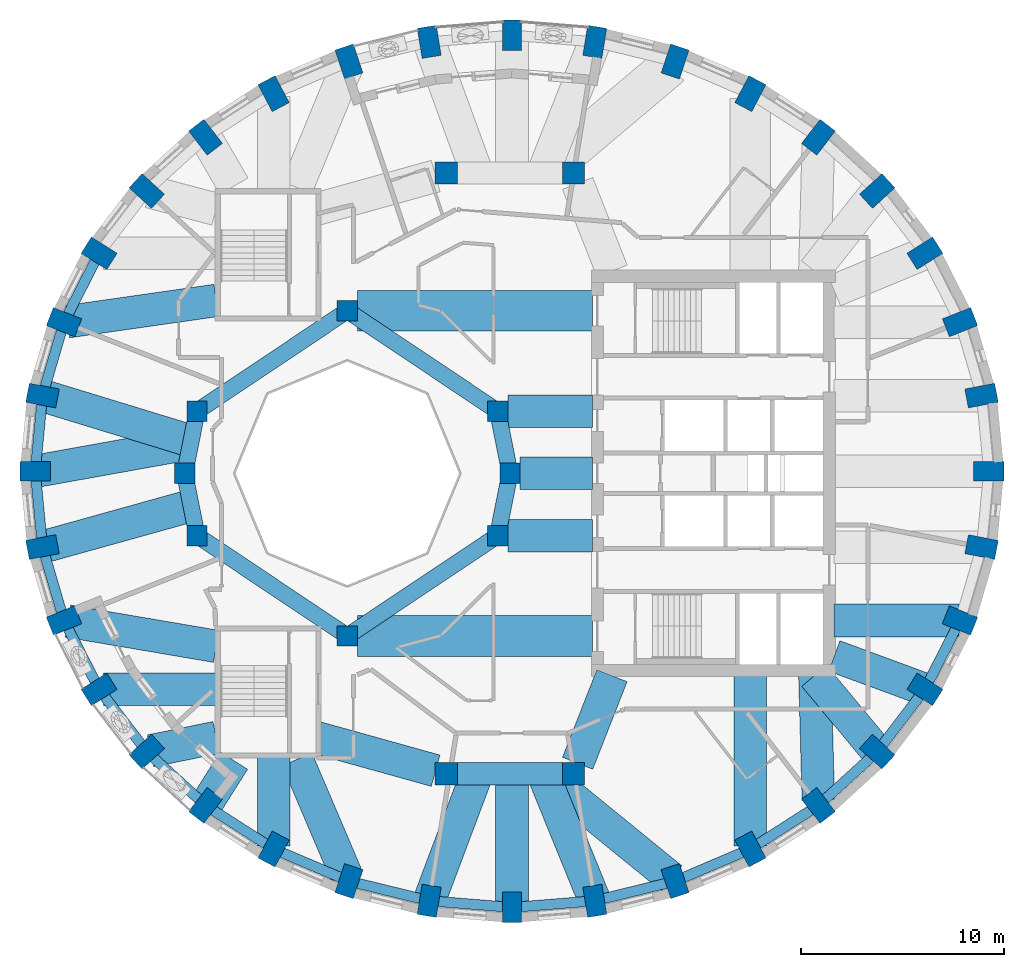
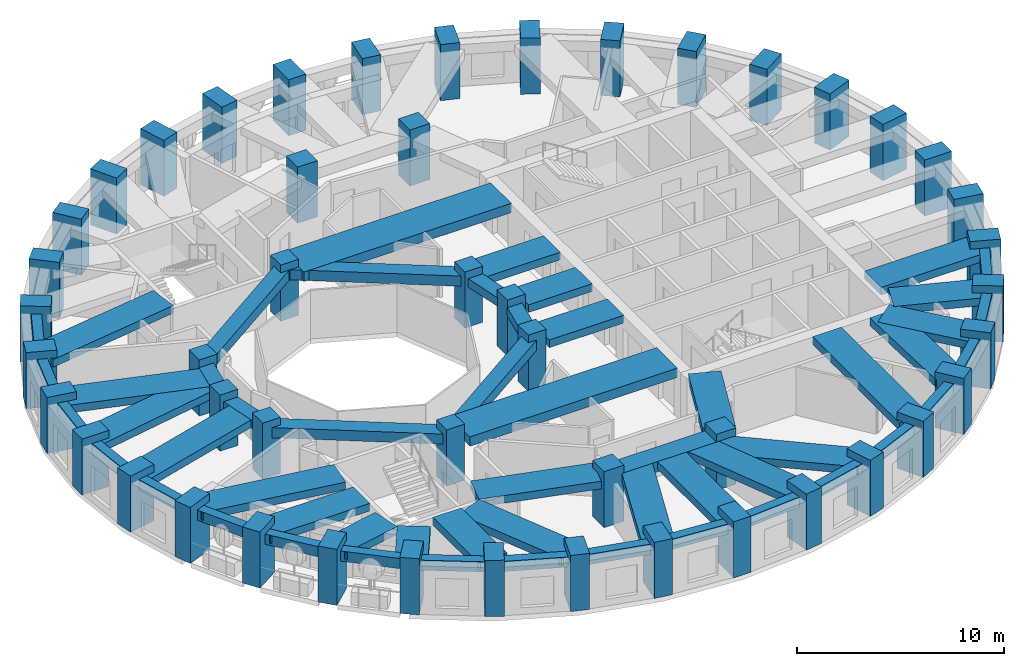
# One storey, part 1 of 11: 54 beams, 48 columns.
"""IFC4 building model written with IfcOpenShell, lengths in metres."""

from ifc_helpers import new_model, si_unit, direction, frame, origin, origin_2d, place, context, subcontext, project, spatial, rectangle, extrude, material, material_profile, profile_set, type_object, element, save


model = new_model("IFC4")

# Units and contexts
model_context = context("Model", 3, precision=1e-05, world=origin(), true_north=direction((0.0, 1.0)))
body_context = subcontext(model_context, "Body", "Model", "MODEL_VIEW")
ifc_project = project(units=[si_unit("LENGTHUNIT", "METRE"), si_unit("AREAUNIT", "SQUARE_METRE"), si_unit("VOLUMEUNIT", "CUBIC_METRE"), si_unit("PLANEANGLEUNIT", "RADIAN"), si_unit("MASSUNIT", "GRAM", prefix="KILO")], contexts=[model_context])

# Site, building, storey
site_placement = place(None, origin())
site = spatial("IfcSite", under=ifc_project, at=site_placement, CompositionType="ELEMENT")
building_placement = place(site_placement, origin())
building = spatial("IfcBuilding", under=site, at=building_placement, Name="Taillehof Tower", CompositionType="ELEMENT")
storey_placement = place(building_placement, frame((0.0, 0.0, 181.39990234375)))
storey = spatial("IfcBuildingStorey", under=building, at=storey_placement, Name="L51", CompositionType="ELEMENT", Elevation=181.39990234375)

# Columns
ifc_material_1 = material(Name="Concrete C50/60", Category="concrete")
ifc_material_profile_1 = material_profile(ifc_material_1, rectangle(XDim=1.0, YDim=1.0, at=origin_2d()), Name="RC 1000x1000")
ifc_profile_set_1 = profile_set([ifc_material_profile_1], Name="Concrete C50/60")
column_type_1 = type_object("IfcColumnType", Name="Atrium ring column C50/60 1000x1000", PredefinedType="COLUMN", material=ifc_profile_set_1)
for number, where, z_axis, x_axis, name in (
    (1, (0.0, 0.0, 0.0), (0.0, 0.0, 1.0), (1.0, 0.0, 0.0), "Column AC01"),
    (2, (-0.60888671875, 3.0615234375, 0.0), (0.0, 0.0, 1.0), (1.0, 0.0, 0.0), "Column AC02"),
    (3, (-8.0, 8.0, 0.0), (0.0, 0.0, 1.0), (1.0, 0.0, 0.0), "Column AC05"),
    (4, (-15.39111328125, 3.0615234375, 0.0), (0.0, 0.0, 1.0), (1.0, 0.0, 0.0), "Column AC08"),
    (5, (-16.0, 0.0, 0.0), (0.0, 0.0, 1.0), (1.0, 0.0, 0.0), "Column AC09"),
    (6, (-15.39111328125, -3.0615234375, 0.0), (0.0, 0.0, 1.0), (1.0, 0.0, 0.0), "Column AC10"),
    (7, (-8.0, -8.0, 0.0), (0.0, 0.0, 1.0), (1.0, 0.0, 0.0), "Column AC13"),
    (8, (-0.60888671875, -3.0615234375, 0.0), (0.0, 0.0, 1.0), (1.0, 0.0, 0.0), "Column AC16"),
):
    element("IfcColumn", number, at=place(storey_placement, frame(where, z_axis=z_axis, x_axis=x_axis)), inside=storey, type_object=column_type_1, Name=name, PredefinedType="COLUMN", context=body_context, shape_type="SweptSolid", body=[
        extrude(rectangle(XDim=1.0, YDim=1.0, at=origin_2d()), origin(), (0.0, 0.0, 1.0), 3.300048828125),
    ])
ifc_material_2 = material(Name="Concrete C50/60", Category="concrete")
ifc_material_profile_2 = material_profile(ifc_material_2, rectangle(XDim=1.10009765625, YDim=1.10009765625, at=origin_2d()), Name="RC 1100x1100")
ifc_profile_set_2 = profile_set([ifc_material_profile_2], Name="Concrete C50/60")
column_type_2 = type_object("IfcColumnType", Name="Mid-ring column C50/60 1100x1100", PredefinedType="COLUMN", material=ifc_profile_set_2)
for number, where, z_axis, x_axis, name in (
    (9, (3.125732421875, 14.772216796875, 0.0), (0.0, 0.0, 1.0), (1.0, 0.0, 0.0), "Column MC05"),
    (10, (-3.125732421875, 14.772216796875, 0.0), (0.0, 0.0, 1.0), (1.0, 0.0, 0.0), "Column MC06"),
    (11, (-3.125732421875, -14.772216796875, 0.0), (0.0, 0.0, 1.0), (1.0, 0.0, 0.0), "Column MC14"),
    (12, (3.125732421875, -14.772216796875, 0.0), (0.0, 0.0, 1.0), (1.0, 0.0, 0.0), "Column MC15"),
):
    element("IfcColumn", number, at=place(storey_placement, frame(where, z_axis=z_axis, x_axis=x_axis)), inside=storey, type_object=column_type_2, Name=name, PredefinedType="COLUMN", context=body_context, shape_type="SweptSolid", body=[
        extrude(rectangle(XDim=1.10009765625, YDim=1.10009765625, at=origin_2d()), origin(), (0.0, 0.0, 1.0), 3.300048828125),
    ])
ifc_material_3 = material(Name="Concrete C60/75", Category="concrete")
ifc_material_profile_3 = material_profile(ifc_material_3, rectangle(XDim=1.5, YDim=0.949951171875, at=origin_2d()), Name="RC 1500x950")
ifc_profile_set_3 = profile_set([ifc_material_profile_3], Name="Concrete C60/75")
column_type_3 = type_object("IfcColumnType", Name="Ring column C60/75 1500x950", PredefinedType="COLUMN", material=ifc_profile_set_3)
for number, where, z_axis, x_axis, name in (
    (13, (23.550048828125, 0.10009765625, 0.0), (0.0, 0.0, 1.0), (1.0, 0.0, 0.0), "Ring column RC01"),
    (14, (23.19384765625, 3.82470703125, 0.0), (0.0, 0.0, 1.0), (0.98202380309, 0.188757119508, 0.0), "Ring column RC02"),
    (15, (22.1357421875, 7.436279296875, 0.0), (0.0, 0.0, 1.0), (0.929511471762, 0.368793199317, 0.0), "Ring column RC03"),
    (16, (20.408203125, 10.824951171875, 0.0), (0.0, 0.0, 1.0), (0.846334224225, 0.532652213837, 0.0), "Ring column RC04"),
    (17, (18.063720703125, 13.8876953125, 0.0), (0.0, 0.0, 1.0), (0.7378786352, 0.674933418727, 0.0), "Ring column RC05"),
    (18, (15.17333984375, 16.53173828125, 0.0), (0.0, 0.0, 1.0), (0.609970500644, 0.792424121506, 0.0), "Ring column RC06"),
    (19, (11.824951171875, 18.67626953125, 0.0), (0.0, 0.0, 1.0), (0.468042101717, 0.883706167807, 0.0), "Ring column RC07"),
    (20, (8.120361328125, 20.25634765625, 0.0), (0.0, 0.0, 1.0), (0.316702950283, 0.948524771043, 0.0), "Ring column RC08"),
    (21, (4.172119140625, 21.22412109375, 0.0), (0.0, 0.0, 1.0), (0.159679090777, 0.987168976401, 0.0), "Ring column RC09"),
    (22, (0.10009765625, 21.550048828125, 0.0), (0.0, 0.0, 1.0), (0.0, 1.0, 0.0), "Ring column RC10"),
    (23, (-3.97216796875, 21.22412109375, 0.0), (0.0, 0.0, 1.0), (-0.159679090777, 0.987168976401, 0.0), "Ring column RC11"),
    (24, (-7.92041015625, 20.25634765625, 0.0), (0.0, 0.0, 1.0), (-0.316702950283, 0.948524771043, 0.0), "Ring column RC12"),
    (25, (-11.625, 18.67626953125, 0.0), (0.0, 0.0, 1.0), (-0.468042101717, 0.883706167807, 0.0), "Ring column RC13"),
    (26, (-14.973388671875, 16.53173828125, 0.0), (0.0, 0.0, 1.0), (-0.609970500644, 0.792424121506, 0.0), "Ring column RC14"),
    (27, (-17.86376953125, 13.8876953125, 0.0), (0.0, 0.0, 1.0), (-0.7378786352, 0.674933418727, 0.0), "Ring column RC15"),
    (28, (-20.208251953125, 10.824951171875, 0.0), (0.0, 0.0, 1.0), (-0.846334224225, 0.532652213837, 0.0), "Ring column RC16"),
    (29, (-21.935791015625, 7.436279296875, 0.0), (0.0, 0.0, 1.0), (-0.929511471762, 0.368793199317, 0.0), "Ring column RC17"),
    (30, (-22.99365234375, 3.82470703125, 0.0), (0.0, 0.0, 1.0), (-0.98202380309, 0.188757119508, 0.0), "Ring column RC18"),
    (31, (-23.35009765625, 0.10009765625, 0.0), (0.0, 0.0, 1.0), (-1.0, 0.0, 0.0), "Ring column RC19"),
    (32, (-22.99365234375, -3.624755859375, 0.0), (0.0, 0.0, 1.0), (-0.98202380309, -0.188757119508, 0.0), "Ring column RC20"),
    (33, (-21.935791015625, -7.236328125, 0.0), (0.0, 0.0, 1.0), (-0.929511471762, -0.368793199317, 0.0), "Ring column RC21"),
    (34, (-20.208251953125, -10.625, 0.0), (0.0, 0.0, 1.0), (-0.846334224225, -0.532652213837, 0.0), "Ring column RC22"),
    (35, (-17.86376953125, -13.687744140625, 0.0), (0.0, 0.0, 1.0), (-0.7378786352, -0.674933418727, 0.0), "Ring column RC23"),
    (36, (-14.973388671875, -16.33154296875, 0.0), (0.0, 0.0, 1.0), (-0.609970500644, -0.792424121506, 0.0), "Ring column RC24"),
    (37, (-11.625, -18.476318359375, 0.0), (0.0, 0.0, 1.0), (-0.468042101717, -0.883706167807, 0.0), "Ring column RC25"),
    (38, (-7.92041015625, -20.056396484375, 0.0), (0.0, 0.0, 1.0), (-0.316702950283, -0.948524771043, 0.0), "Ring column RC26"),
    (39, (-3.97216796875, -21.024169921875, 0.0), (0.0, 0.0, 1.0), (-0.159679090777, -0.987168976401, 0.0), "Ring column RC27"),
    (40, (0.10009765625, -21.35009765625, 0.0), (0.0, 0.0, 1.0), (0.0, -1.0, 0.0), "Ring column RC28"),
    (41, (4.172119140625, -21.024169921875, 0.0), (0.0, 0.0, 1.0), (0.159679090777, -0.987168976401, 0.0), "Ring column RC29"),
    (42, (8.120361328125, -20.056396484375, 0.0), (0.0, 0.0, 1.0), (0.316702950283, -0.948524771043, 0.0), "Ring column RC30"),
    (43, (11.824951171875, -18.476318359375, 0.0), (0.0, 0.0, 1.0), (0.468042101717, -0.883706167807, 0.0), "Ring column RC31"),
    (44, (15.17333984375, -16.33154296875, 0.0), (0.0, 0.0, 1.0), (0.609970500644, -0.792424121506, 0.0), "Ring column RC32"),
    (45, (18.063720703125, -13.687744140625, 0.0), (0.0, 0.0, 1.0), (0.7378786352, -0.674933418727, 0.0), "Ring column RC33"),
    (46, (20.408203125, -10.625, 0.0), (0.0, 0.0, 1.0), (0.846334224225, -0.532652213837, 0.0), "Ring column RC34"),
    (47, (22.1357421875, -7.236328125, 0.0), (0.0, 0.0, 1.0), (0.929511471762, -0.368793199317, 0.0), "Ring column RC35"),
    (48, (23.19384765625, -3.624755859375, 0.0), (0.0, 0.0, 1.0), (0.98202380309, -0.188757119508, 0.0), "Ring column RC36"),
):
    element("IfcColumn", number, at=place(storey_placement, frame(where, z_axis=z_axis, x_axis=x_axis)), inside=storey, type_object=column_type_3, Name=name, PredefinedType="COLUMN", context=body_context, shape_type="SweptSolid", body=[
        extrude(rectangle(XDim=1.5, YDim=0.949951171875, at=origin_2d()), origin(), (0.0, 0.0, 1.0), 3.300048828125),
    ])

# Beams
ifc_material_4 = material(Name="Concrete C50/60", Category="concrete")
ifc_material_profile_4 = material_profile(ifc_material_4, rectangle(XDim=0.800048828125, YDim=0.5, at=origin_2d()), Name="RC 800x500")
ifc_profile_set_4 = profile_set([ifc_material_profile_4], Name="Concrete C50/60")
beam_type_1 = type_object("IfcBeamType", Name="Atrium ring beam C50/60 800x500", PredefinedType="BEAM", material=ifc_profile_set_4)
for number, where, z_axis, x_axis, name in (
    (49, (0.0, 0.0, 2.60009765625), (-0.195063155143, 0.980790683839, 0.0), (-0.980790683839, -0.195063155143, 0.0), "Atrium ring beam AB01"),
    (50, (-15.39111328125, 3.0615234375, 2.60009765625), (-0.195063155143, -0.980790683839, 0.0), (0.980790683839, -0.195063155143, 0.0), "Atrium ring beam AB04"),
    (51, (-16.0, 0.0, 2.60009765625), (0.195063155143, -0.980790683839, 0.0), (0.980790683839, 0.195063155143, 0.0), "Atrium ring beam AB05"),
    (52, (-0.60888671875, -3.0615234375, 2.60009765625), (0.195063155143, 0.980790683839, 0.0), (-0.980790683839, 0.195063155143, 0.0), "Atrium ring beam AB08"),
):
    element("IfcBeam", number, at=place(storey_placement, frame(where, z_axis=z_axis, x_axis=x_axis)), inside=storey, type_object=beam_type_1, Name=name, PredefinedType="BEAM", context=body_context, shape_type="SweptSolid", body=[
        extrude(rectangle(XDim=0.800048828125, YDim=0.5, at=origin_2d()), origin(), (0.0, 0.0, 1.0), 3.12158203125),
    ])
ifc_material_5 = material(Name="Concrete C50/60", Category="concrete")
ifc_material_profile_5 = material_profile(ifc_material_5, rectangle(XDim=0.800048828125, YDim=0.60009765625, at=origin_2d()), Name="RC 800x600")
ifc_profile_set_5 = profile_set([ifc_material_profile_5], Name="Concrete C50/60")
beam_type_2 = type_object("IfcBeamType", Name="Atrium ring beam C50/60 800x600", PredefinedType="BEAM", material=ifc_profile_set_5)
for number, where, z_axis, x_axis, name in (
    (53, (-0.60888671875, 3.0615234375, 2.550048828125), (-0.831475195687, 0.555561876804, 0.0), (-0.555561876804, -0.831475195687, 0.0), "Atrium ring beam AB02"),
    (54, (-8.0, 8.0, 2.550048828125), (-0.831475195687, -0.555561876804, 0.0), (0.555561876804, -0.831475195687, 0.0), "Atrium ring beam AB03"),
    (55, (-15.39111328125, -3.0615234375, 2.550048828125), (0.831475195687, -0.555561876804, 0.0), (0.555561876804, 0.831475195687, 0.0), "Atrium ring beam AB06"),
    (56, (-8.0, -8.0, 2.550048828125), (0.831475195687, 0.555561876804, 0.0), (-0.555561876804, 0.831475195687, 0.0), "Atrium ring beam AB07"),
):
    element("IfcBeam", number, at=place(storey_placement, frame(where, z_axis=z_axis, x_axis=x_axis)), inside=storey, type_object=beam_type_2, Name=name, PredefinedType="BEAM", context=body_context, shape_type="SweptSolid", body=[
        extrude(rectangle(XDim=0.800048828125, YDim=0.60009765625, at=origin_2d()), origin(), (0.0, 0.0, 1.0), 8.88916015625),
    ])
ifc_material_6 = material(Name="Concrete C50/60", Category="concrete")
ifc_material_profile_6 = material_profile(ifc_material_6, rectangle(XDim=1.10009765625, YDim=0.60009765625, at=origin_2d()), Name="RC 1100x600")
ifc_profile_set_6 = profile_set([ifc_material_profile_6], Name="Concrete C50/60")
beam_type_3 = type_object("IfcBeamType", Name="Mid-ring beam C50/60 1100x600", PredefinedType="BEAM", material=ifc_profile_set_6)
beam_1_placement = place(storey_placement, frame((-3.125732421875, -14.772216796875, 2.550048828125), z_axis=(1.0, 0.0, 0.0), x_axis=(0.0, 1.0, 0.0)))
element("IfcBeam", 57, at=beam_1_placement, inside=storey, type_object=beam_type_3, Name="Mid-ring beam MB02", PredefinedType="BEAM", context=body_context, shape_type="SweptSolid", body=[
    extrude(rectangle(XDim=1.10009765625, YDim=0.60009765625, at=origin_2d()), origin(), (0.0, 0.0, 1.0), 6.25146484375),
])
ifc_material_7 = material(Name="Concrete C50/60", Category="concrete")
ifc_material_profile_7 = material_profile(ifc_material_7, rectangle(XDim=1.60009765625, YDim=0.449951171875, at=origin_2d()), Name="RC 1600x450")
ifc_profile_set_7 = profile_set([ifc_material_profile_7], Name="Concrete C50/60")
beam_type_4 = type_object("IfcBeamType", Name="Radial band beam C50/60 1600x450", PredefinedType="BEAM", material=ifc_profile_set_7)
beam_2_placement = place(storey_placement, frame((-21.766845703125, 7.46044921875, 2.625), z_axis=(0.989922388732, 0.141610961042, 0.0), x_axis=(-0.141610961042, 0.989922388732, 0.0)))
element("IfcBeam", 58, at=beam_2_placement, inside=storey, type_object=beam_type_4, Name="Radial band beam RB17", PredefinedType="BEAM", context=body_context, shape_type="SweptSolid", body=[
    extrude(rectangle(XDim=1.60009765625, YDim=0.449951171875, at=origin_2d()), origin(), (0.0, 0.0, 1.0), 7.390869140625),
])
beam_3_placement = place(storey_placement, frame((-22.99365234375, 3.82470703125, 2.625), z_axis=(0.956324293447, -0.292307792854, 0.0), x_axis=(0.292307792854, 0.956324293447, 0.0)))
element("IfcBeam", 59, at=beam_3_placement, inside=storey, type_object=beam_type_4, Name="Radial band beam RB18", PredefinedType="BEAM", context=body_context, shape_type="SweptSolid", body=[
    extrude(rectangle(XDim=1.60009765625, YDim=0.449951171875, at=origin_2d()), origin(), (0.0, 0.0, 1.0), 7.643798828125),
])
beam_4_placement = place(storey_placement, frame((-23.35009765625, 0.10009765625, 2.625), z_axis=(0.984286763882, 0.176577366745, 0.0), x_axis=(-0.176577366745, 0.984286763882, 0.0)))
element("IfcBeam", 60, at=beam_4_placement, inside=storey, type_object=beam_type_4, Name="Radial band beam RB19", PredefinedType="BEAM", context=body_context, shape_type="SweptSolid", body=[
    extrude(rectangle(XDim=1.60009765625, YDim=0.449951171875, at=origin_2d()), origin(), (0.0, 0.0, 1.0), 7.764892578125),
])
beam_5_placement = place(storey_placement, frame((-22.99365234375, -3.624755859375, 2.625), z_axis=(0.96338688135, 0.268115118639, 0.0), x_axis=(-0.268115118639, 0.96338688135, 0.0)))
element("IfcBeam", 61, at=beam_5_placement, inside=storey, type_object=beam_type_4, Name="Radial band beam RB20", PredefinedType="BEAM", context=body_context, shape_type="SweptSolid", body=[
    extrude(rectangle(XDim=1.60009765625, YDim=0.449951171875, at=origin_2d()), origin(), (0.0, 0.0, 1.0), 7.587890625),
])
beam_6_placement = place(storey_placement, frame((-21.744140625, -7.268798828125, 2.625), z_axis=(0.985864460395, -0.167544817079, 0.0), x_axis=(0.167544817079, 0.985864460395, 0.0)))
element("IfcBeam", 62, at=beam_6_placement, inside=storey, type_object=beam_type_4, Name="Radial band beam RB21", PredefinedType="BEAM", context=body_context, shape_type="SweptSolid", body=[
    extrude(rectangle(XDim=1.60009765625, YDim=0.449951171875, at=origin_2d()), origin(), (0.0, 0.0, 1.0), 7.39794921875),
])
beam_7_placement = place(storey_placement, frame((-19.9990234375, -10.625, 2.625), z_axis=(1.0, 0.0, 0.0), x_axis=(0.0, 1.0, 0.0)))
element("IfcBeam", 63, at=beam_7_placement, inside=storey, type_object=beam_type_4, Name="Radial band beam RB22", PredefinedType="BEAM", context=body_context, shape_type="SweptSolid", body=[
    extrude(rectangle(XDim=1.60009765625, YDim=0.449951171875, at=origin_2d()), origin(), (0.0, 0.0, 1.0), 5.549072265625),
])
beam_8_placement = place(storey_placement, frame((-17.678955078125, -13.64990234375, 2.625), z_axis=(0.979736748385, 0.200289550059, 0.0), x_axis=(-0.200289550059, 0.979736748385, 0.0)))
element("IfcBeam", 64, at=beam_8_placement, inside=storey, type_object=beam_type_4, Name="Radial band beam RB23", PredefinedType="BEAM", context=body_context, shape_type="SweptSolid", body=[
    extrude(rectangle(XDim=1.60009765625, YDim=0.449951171875, at=origin_2d()), origin(), (0.0, 0.0, 1.0), 3.294677734375),
])
beam_9_placement = place(storey_placement, frame((-14.973388671875, -16.33154296875, 2.625), z_axis=(0.534207803896, 0.845353193794, 0.0), x_axis=(-0.845353193794, 0.534207803896, 0.0)))
element("IfcBeam", 65, at=beam_9_placement, inside=storey, type_object=beam_type_4, Name="Radial band beam RB24", PredefinedType="BEAM", context=body_context, shape_type="SweptSolid", body=[
    extrude(rectangle(XDim=1.60009765625, YDim=0.449951171875, at=origin_2d()), origin(), (0.0, 0.0, 1.0), 2.608154296875),
])
beam_10_placement = place(storey_placement, frame((-11.625, -18.33642578125, 2.625), z_axis=(0.0, 1.0, 0.0), x_axis=(-1.0, 0.0, 0.0)))
element("IfcBeam", 66, at=beam_10_placement, inside=storey, type_object=beam_type_4, Name="Radial band beam RB25", PredefinedType="BEAM", context=body_context, shape_type="SweptSolid", body=[
    extrude(rectangle(XDim=1.60009765625, YDim=0.449951171875, at=origin_2d()), origin(), (0.0, 0.0, 1.0), 4.386474609375),
])
beam_11_placement = place(storey_placement, frame((-8.049072265625, -19.75390625, 2.625), z_axis=(-0.391879389257, 0.9200166, 0.0), x_axis=(-0.9200166, -0.391879389257, 0.0)))
element("IfcBeam", 67, at=beam_11_placement, inside=storey, type_object=beam_type_4, Name="Radial band beam RB26", PredefinedType="BEAM", context=body_context, shape_type="SweptSolid", body=[
    extrude(rectangle(XDim=1.60009765625, YDim=0.449951171875, at=origin_2d()), origin(), (0.0, 0.0, 1.0), 6.18505859375),
])
beam_12_placement = place(storey_placement, frame((-3.97216796875, -21.024169921875, 2.625), z_axis=(0.351379850477, 0.936232984186, 0.0), x_axis=(-0.936232984186, 0.351379850477, 0.0)))
element("IfcBeam", 68, at=beam_12_placement, inside=storey, type_object=beam_type_4, Name="Radial band beam RB27", PredefinedType="BEAM", context=body_context, shape_type="SweptSolid", body=[
    extrude(rectangle(XDim=1.60009765625, YDim=0.449951171875, at=origin_2d()), origin(), (0.0, 0.0, 1.0), 6.677734375),
])
beam_13_placement = place(storey_placement, frame((0.10009765625, -21.35009765625, 2.625), z_axis=(0.0, 1.0, 0.0), x_axis=(-1.0, 0.0, 0.0)))
element("IfcBeam", 69, at=beam_13_placement, inside=storey, type_object=beam_type_4, Name="Radial band beam RB28", PredefinedType="BEAM", context=body_context, shape_type="SweptSolid", body=[
    extrude(rectangle(XDim=1.60009765625, YDim=0.449951171875, at=origin_2d()), origin(), (0.0, 0.0, 1.0), 6.577880859375),
])
beam_14_placement = place(storey_placement, frame((4.172119140625, -21.024169921875, 2.625), z_axis=(-0.377207279938, 0.926128861424, 0.0), x_axis=(-0.926128861424, -0.377207279938, 0.0)))
element("IfcBeam", 70, at=beam_14_placement, inside=storey, type_object=beam_type_4, Name="Radial band beam RB29", PredefinedType="BEAM", context=body_context, shape_type="SweptSolid", body=[
    extrude(rectangle(XDim=1.60009765625, YDim=0.449951171875, at=origin_2d()), origin(), (0.0, 0.0, 1.0), 6.750732421875),
])
beam_15_placement = place(storey_placement, frame((7.95556640625, -19.92236328125, 2.625), z_axis=(-0.775687012842, 0.631117784655, 0.0), x_axis=(-0.631117784655, -0.775687012842, 0.0)))
element("IfcBeam", 71, at=beam_15_placement, inside=storey, type_object=beam_type_4, Name="Radial band beam RB30", PredefinedType="BEAM", context=body_context, shape_type="SweptSolid", body=[
    extrude(rectangle(XDim=1.60009765625, YDim=0.449951171875, at=origin_2d()), origin(), (0.0, 0.0, 1.0), 8.048583984375),
])
beam_16_placement = place(storey_placement, frame((11.824951171875, -18.33642578125, 2.625), z_axis=(0.0, 1.0, 0.0), x_axis=(-1.0, 0.0, 0.0)))
element("IfcBeam", 72, at=beam_16_placement, inside=storey, type_object=beam_type_4, Name="Radial band beam RB31", PredefinedType="BEAM", context=body_context, shape_type="SweptSolid", body=[
    extrude(rectangle(XDim=1.60009765625, YDim=0.449951171875, at=origin_2d()), origin(), (0.0, 0.0, 1.0), 8.386474609375),
])
beam_17_placement = place(storey_placement, frame((15.166015625, -16.060546875, 2.625), z_axis=(-0.027397917621, 0.999624606595, 0.0), x_axis=(-0.999624606595, -0.027397917621, 0.0)))
element("IfcBeam", 73, at=beam_17_placement, inside=storey, type_object=beam_type_4, Name="Radial band beam RB32", PredefinedType="BEAM", context=body_context, shape_type="SweptSolid", body=[
    extrude(rectangle(XDim=1.60009765625, YDim=0.449951171875, at=origin_2d()), origin(), (0.0, 0.0, 1.0), 6.11279296875),
])
beam_18_placement = place(storey_placement, frame((18.063720703125, -13.687744140625, 2.625), z_axis=(-0.639018777093, 0.769191135234, 0.0), x_axis=(-0.769191135234, -0.639018777093, 0.0)))
element("IfcBeam", 74, at=beam_18_placement, inside=storey, type_object=beam_type_4, Name="Radial band beam RB33", PredefinedType="BEAM", context=body_context, shape_type="SweptSolid", body=[
    extrude(rectangle(XDim=1.60009765625, YDim=0.449951171875, at=origin_2d()), origin(), (0.0, 0.0, 1.0), 4.844482421875),
])
beam_19_placement = place(storey_placement, frame((20.408203125, -10.625, 2.625), z_axis=(-0.938275503033, 0.345888826661, 0.0), x_axis=(-0.345888826661, -0.938275503033, 0.0)))
element("IfcBeam", 75, at=beam_19_placement, inside=storey, type_object=beam_type_4, Name="Radial band beam RB34", PredefinedType="BEAM", context=body_context, shape_type="SweptSolid", body=[
    extrude(rectangle(XDim=1.60009765625, YDim=0.449951171875, at=origin_2d()), origin(), (0.0, 0.0, 1.0), 4.748046875),
])
beam_20_placement = place(storey_placement, frame((22.08642578125, -7.236328125, 2.625), z_axis=(-1.0, 0.0, 0.0), x_axis=(0.0, -1.0, 0.0)))
element("IfcBeam", 76, at=beam_20_placement, inside=storey, type_object=beam_type_4, Name="Radial band beam RB35", PredefinedType="BEAM", context=body_context, shape_type="SweptSolid", body=[
    extrude(rectangle(XDim=1.60009765625, YDim=0.449951171875, at=origin_2d()), origin(), (0.0, 0.0, 1.0), 6.136474609375),
])
beam_21_placement = place(storey_placement, frame((0.5, 0.0, 2.625), z_axis=(1.0, 0.0, 0.0), x_axis=(0.0, 1.0, 0.0)))
element("IfcBeam", 77, at=beam_21_placement, inside=storey, type_object=beam_type_4, Name="Inner band beam IB101", PredefinedType="BEAM", context=body_context, shape_type="SweptSolid", body=[
    extrude(rectangle(XDim=1.60009765625, YDim=0.449951171875, at=origin_2d()), origin(), (0.0, 0.0, 1.0), 3.550048828125),
])
for number, where, z_axis, x_axis, name in (
    (78, (-0.10888671875, 3.0615234375, 2.625), (1.0, 0.0, 0.0), (0.0, 1.0, 0.0), "Inner band beam IB102"),
    (79, (-0.10888671875, -3.0615234375, 2.625), (1.0, 0.0, 0.0), (0.0, 1.0, 0.0), "Inner band beam IB116"),
):
    element("IfcBeam", number, at=place(storey_placement, frame(where, z_axis=z_axis, x_axis=x_axis)), inside=storey, type_object=beam_type_4, Name=name, PredefinedType="BEAM", context=body_context, shape_type="SweptSolid", body=[
        extrude(rectangle(XDim=1.60009765625, YDim=0.449951171875, at=origin_2d()), origin(), (0.0, 0.0, 1.0), 4.158935546875),
    ])
beam_22_placement = place(storey_placement, frame((-3.655517578125, -14.624755859375, 2.625), z_axis=(-0.963459369536, 0.267854518821, 0.0), x_axis=(-0.267854518821, -0.963459369536, 0.0)))
element("IfcBeam", 80, at=beam_22_placement, inside=storey, type_object=beam_type_4, Name="Inner band beam IB214", PredefinedType="BEAM", context=body_context, shape_type="SweptSolid", body=[
    extrude(rectangle(XDim=1.60009765625, YDim=0.449951171875, at=origin_2d()), origin(), (0.0, 0.0, 1.0), 6.096923828125),
])
beam_23_placement = place(storey_placement, frame((3.32666015625, -14.26025390625, 2.625), z_axis=(0.365588707223, 0.930776502255, 0.0), x_axis=(-0.930776502255, 0.365588707223, 0.0)))
element("IfcBeam", 81, at=beam_23_placement, inside=storey, type_object=beam_type_4, Name="Inner band beam IB215", PredefinedType="BEAM", context=body_context, shape_type="SweptSolid", body=[
    extrude(rectangle(XDim=1.60009765625, YDim=0.449951171875, at=origin_2d()), origin(), (0.0, 0.0, 1.0), 4.627197265625),
])
ifc_material_8 = material(Name="Concrete C50/60", Category="concrete")
ifc_material_profile_8 = material_profile(ifc_material_8, rectangle(XDim=2.0, YDim=0.550048828125, at=origin_2d()), Name="RC 2000x550")
ifc_profile_set_8 = profile_set([ifc_material_profile_8], Name="Concrete C50/60")
beam_type_5 = type_object("IfcBeamType", Name="Radial band beam C50/60 2000x550", PredefinedType="BEAM", material=ifc_profile_set_8)
for number, where, z_axis, x_axis, name in (
    (82, (-7.5, 8.0, 2.5751953125), (1.0, 0.0, 0.0), (0.0, 1.0, 0.0), "Inner band beam IB105"),
    (83, (-7.5, -8.0, 2.5751953125), (1.0, 0.0, 0.0), (0.0, 1.0, 0.0), "Inner band beam IB113"),
):
    element("IfcBeam", number, at=place(storey_placement, frame(where, z_axis=z_axis, x_axis=x_axis)), inside=storey, type_object=beam_type_5, Name=name, PredefinedType="BEAM", context=body_context, shape_type="SweptSolid", body=[
        extrude(rectangle(XDim=2.0, YDim=0.550048828125, at=origin_2d()), origin(), (0.0, 0.0, 1.0), 11.550048828125),
    ])
ifc_material_9 = material(Name="Concrete C50/60", Category="concrete")
ifc_material_profile_9 = material_profile(ifc_material_9, rectangle(XDim=0.5, YDim=0.60009765625, at=origin_2d()), Name="RC 500x600")
ifc_profile_set_9 = profile_set([ifc_material_profile_9], Name="Concrete C50/60")
beam_type_6 = type_object("IfcBeamType", Name="Spandrel beam C50/60 500x600", PredefinedType="SPANDREL", material=ifc_profile_set_9)
beam_24_placement = place(storey_placement, frame((-20.208251953125, 10.824951171875, 2.550048828125), z_axis=(-0.454183451696, -0.890908183937, 0.0), x_axis=(0.890908183937, -0.454183451696, 0.0)))
element("IfcBeam", 84, at=beam_24_placement, inside=storey, type_object=beam_type_6, Name="Spandrel beam SB16", PredefinedType="SPANDREL", context=body_context, shape_type="SweptSolid", body=[
    extrude(rectangle(XDim=0.5, YDim=0.60009765625, at=origin_2d()), origin(), (0.0, 0.0, 1.0), 3.8037109375),
])
beam_25_placement = place(storey_placement, frame((-21.935791015625, 7.436279296875, 2.550048828125), z_axis=(-0.281098416478, -0.959678946447, 0.0), x_axis=(0.959678946447, -0.281098416478, 0.0)))
element("IfcBeam", 85, at=beam_25_placement, inside=storey, type_object=beam_type_6, Name="Spandrel beam SB17", PredefinedType="SPANDREL", context=body_context, shape_type="SweptSolid", body=[
    extrude(rectangle(XDim=0.5, YDim=0.60009765625, at=origin_2d()), origin(), (0.0, 0.0, 1.0), 3.763427734375),
])
beam_26_placement = place(storey_placement, frame((-22.99365234375, 3.82470703125, 2.550048828125), z_axis=(-0.095264805358, -0.995451966124, 0.0), x_axis=(0.995451966124, -0.095264805358, 0.0)))
element("IfcBeam", 86, at=beam_26_placement, inside=storey, type_object=beam_type_6, Name="Spandrel beam SB18", PredefinedType="SPANDREL", context=body_context, shape_type="SweptSolid", body=[
    extrude(rectangle(XDim=0.5, YDim=0.60009765625, at=origin_2d()), origin(), (0.0, 0.0, 1.0), 3.74169921875),
])
beam_27_placement = place(storey_placement, frame((-23.35009765625, 0.10009765625, 2.550048828125), z_axis=(0.095258618013, -0.995452558234, 0.0), x_axis=(0.995452558234, 0.095258618013, 0.0)))
element("IfcBeam", 87, at=beam_27_placement, inside=storey, type_object=beam_type_6, Name="Spandrel beam SB19", PredefinedType="SPANDREL", context=body_context, shape_type="SweptSolid", body=[
    extrude(rectangle(XDim=0.5, YDim=0.60009765625, at=origin_2d()), origin(), (0.0, 0.0, 1.0), 3.741943359375),
])
beam_28_placement = place(storey_placement, frame((-22.99365234375, -3.624755859375, 2.550048828125), z_axis=(0.281098416478, -0.959678946447, 0.0), x_axis=(0.959678946447, 0.281098416478, 0.0)))
element("IfcBeam", 88, at=beam_28_placement, inside=storey, type_object=beam_type_6, Name="Spandrel beam SB20", PredefinedType="SPANDREL", context=body_context, shape_type="SweptSolid", body=[
    extrude(rectangle(XDim=0.5, YDim=0.60009765625, at=origin_2d()), origin(), (0.0, 0.0, 1.0), 3.763427734375),
])
beam_29_placement = place(storey_placement, frame((-21.935791015625, -7.236328125, 2.550048828125), z_axis=(0.454183451696, -0.890908183937, 0.0), x_axis=(0.890908183937, 0.454183451696, 0.0)))
element("IfcBeam", 89, at=beam_29_placement, inside=storey, type_object=beam_type_6, Name="Spandrel beam SB21", PredefinedType="SPANDREL", context=body_context, shape_type="SweptSolid", body=[
    extrude(rectangle(XDim=0.5, YDim=0.60009765625, at=origin_2d()), origin(), (0.0, 0.0, 1.0), 3.8037109375),
])
beam_30_placement = place(storey_placement, frame((-20.208251953125, -10.625, 2.550048828125), z_axis=(0.60784004271, -0.794059495553, 0.0), x_axis=(0.794059495553, 0.60784004271, 0.0)))
element("IfcBeam", 90, at=beam_30_placement, inside=storey, type_object=beam_type_6, Name="Spandrel beam SB22", PredefinedType="SPANDREL", context=body_context, shape_type="SweptSolid", body=[
    extrude(rectangle(XDim=0.5, YDim=0.60009765625, at=origin_2d()), origin(), (0.0, 0.0, 1.0), 3.857177734375),
])
beam_31_placement = place(storey_placement, frame((-17.86376953125, -13.687744140625, 2.550048828125), z_axis=(0.737880696592, -0.674931165081, 0.0), x_axis=(0.674931165081, 0.737880696592, 0.0)))
element("IfcBeam", 91, at=beam_31_placement, inside=storey, type_object=beam_type_6, Name="Spandrel beam SB23", PredefinedType="SPANDREL", context=body_context, shape_type="SweptSolid", body=[
    extrude(rectangle(XDim=0.5, YDim=0.60009765625, at=origin_2d()), origin(), (0.0, 0.0, 1.0), 3.917236328125),
])
beam_32_placement = place(storey_placement, frame((-14.973388671875, -16.33154296875, 2.550048828125), z_axis=(0.842065054946, -0.539375975771, 0.0), x_axis=(0.539375975771, 0.842065054946, 0.0)))
element("IfcBeam", 92, at=beam_32_placement, inside=storey, type_object=beam_type_6, Name="Spandrel beam SB24", PredefinedType="SPANDREL", context=body_context, shape_type="SweptSolid", body=[
    extrude(rectangle(XDim=0.5, YDim=0.60009765625, at=origin_2d()), origin(), (0.0, 0.0, 1.0), 3.976318359375),
])
beam_33_placement = place(storey_placement, frame((-11.625, -18.476318359375, 2.550048828125), z_axis=(0.919827173659, -0.392323808351, 0.0), x_axis=(0.392323808351, 0.919827173659, 0.0)))
element("IfcBeam", 93, at=beam_33_placement, inside=storey, type_object=beam_type_6, Name="Spandrel beam SB25", PredefinedType="SPANDREL", context=body_context, shape_type="SweptSolid", body=[
    extrude(rectangle(XDim=0.5, YDim=0.60009765625, at=origin_2d()), origin(), (0.0, 0.0, 1.0), 4.027587890625),
])
beam_34_placement = place(storey_placement, frame((-7.92041015625, -20.056396484375, 2.550048828125), z_axis=(0.971248584585, -0.238067610023, 0.0), x_axis=(0.238067610023, 0.971248584585, 0.0)))
element("IfcBeam", 94, at=beam_34_placement, inside=storey, type_object=beam_type_6, Name="Spandrel beam SB26", PredefinedType="SPANDREL", context=body_context, shape_type="SweptSolid", body=[
    extrude(rectangle(XDim=0.5, YDim=0.60009765625, at=origin_2d()), origin(), (0.0, 0.0, 1.0), 4.065185546875),
])
beam_35_placement = place(storey_placement, frame((-3.97216796875, -21.024169921875, 2.550048828125), z_axis=(0.996812427616, -0.079780850771, 0.0), x_axis=(0.079780850771, 0.996812427616, 0.0)))
element("IfcBeam", 95, at=beam_35_placement, inside=storey, type_object=beam_type_6, Name="Spandrel beam SB27", PredefinedType="SPANDREL", context=body_context, shape_type="SweptSolid", body=[
    extrude(rectangle(XDim=0.5, YDim=0.60009765625, at=origin_2d()), origin(), (0.0, 0.0, 1.0), 4.085205078125),
])
beam_36_placement = place(storey_placement, frame((0.10009765625, -21.35009765625, 2.550048828125), z_axis=(0.996812047205, 0.079785603634, 0.0), x_axis=(-0.079785603634, 0.996812047205, 0.0)))
element("IfcBeam", 96, at=beam_36_placement, inside=storey, type_object=beam_type_6, Name="Spandrel beam SB28", PredefinedType="SPANDREL", context=body_context, shape_type="SweptSolid", body=[
    extrude(rectangle(XDim=0.5, YDim=0.60009765625, at=origin_2d()), origin(), (0.0, 0.0, 1.0), 4.0849609375),
])
beam_37_placement = place(storey_placement, frame((4.172119140625, -21.024169921875, 2.550048828125), z_axis=(0.971248584585, 0.238067610023, 0.0), x_axis=(-0.238067610023, 0.971248584585, 0.0)))
element("IfcBeam", 97, at=beam_37_placement, inside=storey, type_object=beam_type_6, Name="Spandrel beam SB29", PredefinedType="SPANDREL", context=body_context, shape_type="SweptSolid", body=[
    extrude(rectangle(XDim=0.5, YDim=0.60009765625, at=origin_2d()), origin(), (0.0, 0.0, 1.0), 4.065185546875),
])
beam_38_placement = place(storey_placement, frame((8.120361328125, -20.056396484375, 2.550048828125), z_axis=(0.919827173659, 0.392323808351, 0.0), x_axis=(-0.392323808351, 0.919827173659, 0.0)))
element("IfcBeam", 98, at=beam_38_placement, inside=storey, type_object=beam_type_6, Name="Spandrel beam SB30", PredefinedType="SPANDREL", context=body_context, shape_type="SweptSolid", body=[
    extrude(rectangle(XDim=0.5, YDim=0.60009765625, at=origin_2d()), origin(), (0.0, 0.0, 1.0), 4.027587890625),
])
beam_39_placement = place(storey_placement, frame((11.824951171875, -18.476318359375, 2.550048828125), z_axis=(0.842065054946, 0.539375975771, 0.0), x_axis=(-0.539375975771, 0.842065054946, 0.0)))
element("IfcBeam", 99, at=beam_39_placement, inside=storey, type_object=beam_type_6, Name="Spandrel beam SB31", PredefinedType="SPANDREL", context=body_context, shape_type="SweptSolid", body=[
    extrude(rectangle(XDim=0.5, YDim=0.60009765625, at=origin_2d()), origin(), (0.0, 0.0, 1.0), 3.976318359375),
])
beam_40_placement = place(storey_placement, frame((15.17333984375, -16.33154296875, 2.550048828125), z_axis=(0.737880696592, 0.674931165081, 0.0), x_axis=(-0.674931165081, 0.737880696592, 0.0)))
element("IfcBeam", 100, at=beam_40_placement, inside=storey, type_object=beam_type_6, Name="Spandrel beam SB32", PredefinedType="SPANDREL", context=body_context, shape_type="SweptSolid", body=[
    extrude(rectangle(XDim=0.5, YDim=0.60009765625, at=origin_2d()), origin(), (0.0, 0.0, 1.0), 3.917236328125),
])
beam_41_placement = place(storey_placement, frame((18.063720703125, -13.687744140625, 2.550048828125), z_axis=(0.60784004271, 0.794059495553, 0.0), x_axis=(-0.794059495553, 0.60784004271, 0.0)))
element("IfcBeam", 101, at=beam_41_placement, inside=storey, type_object=beam_type_6, Name="Spandrel beam SB33", PredefinedType="SPANDREL", context=body_context, shape_type="SweptSolid", body=[
    extrude(rectangle(XDim=0.5, YDim=0.60009765625, at=origin_2d()), origin(), (0.0, 0.0, 1.0), 3.857177734375),
])
beam_42_placement = place(storey_placement, frame((20.408203125, -10.625, 2.550048828125), z_axis=(0.454183451696, 0.890908183937, 0.0), x_axis=(-0.890908183937, 0.454183451696, 0.0)))
element("IfcBeam", 102, at=beam_42_placement, inside=storey, type_object=beam_type_6, Name="Spandrel beam SB34", PredefinedType="SPANDREL", context=body_context, shape_type="SweptSolid", body=[
    extrude(rectangle(XDim=0.5, YDim=0.60009765625, at=origin_2d()), origin(), (0.0, 0.0, 1.0), 3.8037109375),
])

save(model, "model.ifc")
